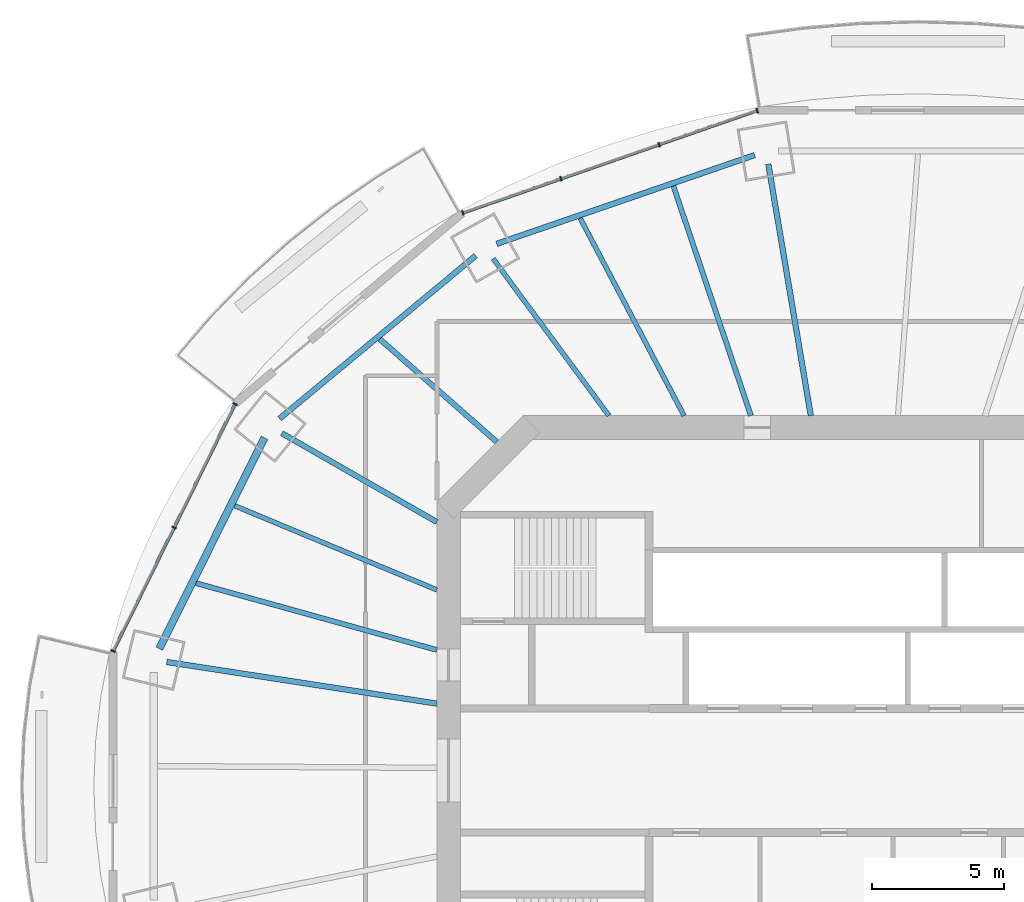
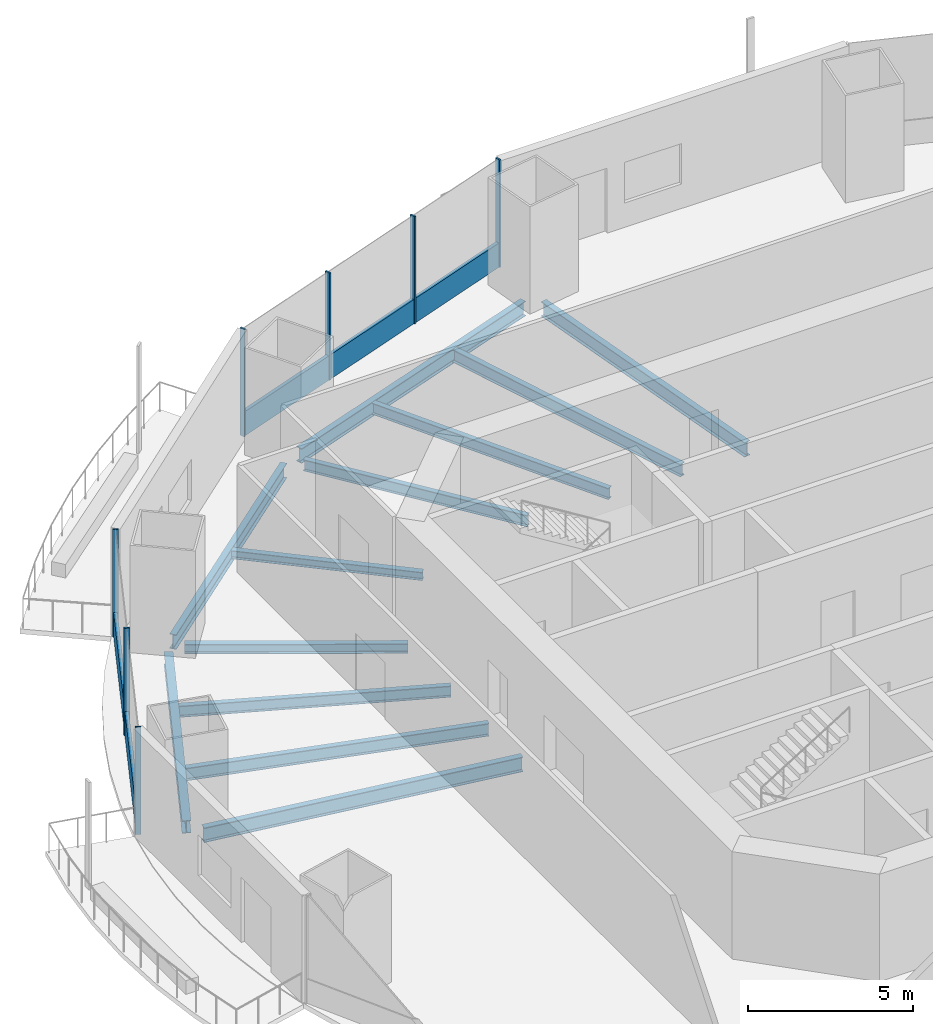
# One storey, part 6 of 20: 12 beams, 9 members, 2 elements without a shape of their own.
"""IFC4 building model written with IfcOpenShell, lengths in metres."""

from ifc_helpers import new_model, si_unit, direction, frame, origin, origin_2d, place, context, subcontext, project, spatial, rectangle, i_section, extrude, material, material_profile, profile_set, type_object, element, aggregate, save


model = new_model("IFC4")

# Units and contexts
model_context = context("Model", 3, precision=1e-05, world=origin(), true_north=direction((0.0, 1.0)))
body_context = subcontext(model_context, "Body", "Model", "MODEL_VIEW")
ifc_project = project(units=[si_unit("LENGTHUNIT", "METRE"), si_unit("AREAUNIT", "SQUARE_METRE"), si_unit("VOLUMEUNIT", "CUBIC_METRE"), si_unit("PLANEANGLEUNIT", "RADIAN"), si_unit("MASSUNIT", "GRAM", prefix="KILO")], contexts=[model_context])

# Site, building, storey
site_placement = place(None, origin())
site = spatial("IfcSite", under=ifc_project, at=site_placement, CompositionType="ELEMENT")
building_placement = place(site_placement, origin())
building = spatial("IfcBuilding", under=site, at=building_placement, Name="Marenthal Gate Tower", CompositionType="ELEMENT")
storey_placement = place(building_placement, frame((0.0, 0.0, 215.0)))
storey = spatial("IfcBuildingStorey", under=building, at=storey_placement, Name="L47", CompositionType="ELEMENT", Elevation=215.0)

# Curtain wall, members
ifc_material_1 = material(Name="Aluminium and glass", Category="aluminium")
curtain_wall_type = type_object("IfcCurtainWallType", Name="Curtain wall typical mid", PredefinedType="NOTDEFINED", material=ifc_material_1)
curtain_wall_1_placement = place(storey_placement, origin())
curtain_wall_1 = element("IfcCurtainWall", 1, at=curtain_wall_1_placement, inside=storey, type_object=curtain_wall_type, Name="Curtain wall L47 bay 5", PredefinedType="NOTDEFINED")
ifc_material_2 = material(Name="Aluminium", Category="aluminium")
ifc_material_profile_1 = material_profile(ifc_material_2, rectangle(XDim=0.179931640625, YDim=0.06005859375, at=origin_2d()), Name="60x180 aluminium mullion")
ifc_profile_set_1 = profile_set([ifc_material_profile_1], Name="Aluminium")
member_type_1 = type_object("IfcMemberType", Name="Mullion 60x180 typical mid", PredefinedType="MULLION", material=ifc_profile_set_1)
member_1_placement = place(storey_placement, frame((-4.301513671875, 25.01806640625, 0.0), z_axis=(0.0, 0.0, 1.0), x_axis=(0.328400483847, -0.944538576348, 0.0)))
member_1 = element("IfcMember", 2, at=member_1_placement, type_object=member_type_1, Name="Mullion L47 bay 5.1", PredefinedType="MULLION", context=body_context, shape_type="SweptSolid", body=[
    extrude(rectangle(XDim=0.179931640625, YDim=0.06005859375, at=origin_2d()), origin(), (0.0, 0.0, 1.0), 3.969970703125),
])
member_2_placement = place(storey_placement, frame((-8.023193359375, 23.72412109375, 0.0), z_axis=(0.0, 0.0, 1.0), x_axis=(0.328400483847, -0.944538576348, 0.0)))
member_2 = element("IfcMember", 3, at=member_2_placement, type_object=member_type_1, Name="Mullion L47 bay 5.2", PredefinedType="MULLION", context=body_context, shape_type="SweptSolid", body=[
    extrude(rectangle(XDim=0.179931640625, YDim=0.06005859375, at=origin_2d()), origin(), (0.0, 0.0, 1.0), 3.969970703125),
])
member_3_placement = place(storey_placement, frame((-11.744873046875, 22.43017578125, 0.0), z_axis=(0.0, 0.0, 1.0), x_axis=(0.328400483847, -0.944538576348, 0.0)))
member_3 = element("IfcMember", 4, at=member_3_placement, type_object=member_type_1, Name="Mullion L47 bay 5.3", PredefinedType="MULLION", context=body_context, shape_type="SweptSolid", body=[
    extrude(rectangle(XDim=0.179931640625, YDim=0.06005859375, at=origin_2d()), origin(), (0.0, 0.0, 1.0), 3.969970703125),
])
member_4_placement = place(storey_placement, frame((-15.466552734375, 21.13623046875, 0.0), z_axis=(0.0, 0.0, 1.0), x_axis=(0.328400483847, -0.944538576348, 0.0)))
member_4 = element("IfcMember", 5, at=member_4_placement, type_object=member_type_1, Name="Mullion L47 bay 5.4", PredefinedType="MULLION", context=body_context, shape_type="SweptSolid", body=[
    extrude(rectangle(XDim=0.179931640625, YDim=0.06005859375, at=origin_2d()), origin(), (0.0, 0.0, 1.0), 3.969970703125),
])

curtain_wall_2_placement = place(storey_placement, origin())
curtain_wall_2 = element("IfcCurtainWall", 6, at=curtain_wall_2_placement, inside=storey, type_object=curtain_wall_type, Name="Curtain wall L47 bay 7", PredefinedType="NOTDEFINED")
member_5_placement = place(storey_placement, frame((-24.096923828125, 13.89013671875, 0.0), z_axis=(0.0, 0.0, 1.0), x_axis=(0.896756924648, -0.442523466153, 0.0)))
member_5 = element("IfcMember", 7, at=member_5_placement, type_object=member_type_1, Name="Mullion L47 bay 7.1", PredefinedType="MULLION", context=body_context, shape_type="SweptSolid", body=[
    extrude(rectangle(XDim=0.179931640625, YDim=0.06005859375, at=origin_2d()), origin(), (0.0, 0.0, 1.0), 3.969970703125),
])
member_6_placement = place(storey_placement, frame((-26.40771484375, 9.20751953125, 0.0), z_axis=(0.0, 0.0, 1.0), x_axis=(0.896756924648, -0.442523466153, 0.0)))
member_6 = element("IfcMember", 8, at=member_6_placement, type_object=member_type_1, Name="Mullion L47 bay 7.2", PredefinedType="MULLION", context=body_context, shape_type="SweptSolid", body=[
    extrude(rectangle(XDim=0.179931640625, YDim=0.06005859375, at=origin_2d()), origin(), (0.0, 0.0, 1.0), 3.969970703125),
])
member_7_placement = place(storey_placement, frame((-28.718505859375, 4.524658203125, 0.0), z_axis=(0.0, 0.0, 1.0), x_axis=(0.896756924648, -0.442523466153, 0.0)))
member_7 = element("IfcMember", 9, at=member_7_placement, type_object=member_type_1, Name="Mullion L47 bay 7.3", PredefinedType="MULLION", context=body_context, shape_type="SweptSolid", body=[
    extrude(rectangle(XDim=0.179931640625, YDim=0.06005859375, at=origin_2d()), origin(), (0.0, 0.0, 1.0), 3.969970703125),
])

# Member
ifc_material_3 = material(Name="Aluminium", Category="aluminium")
ifc_material_profile_2 = material_profile(ifc_material_3, rectangle(XDim=0.1201171875, YDim=0.89990234375, at=origin_2d()), Name="120x900 aluminium transom")
ifc_profile_set_2 = profile_set([ifc_material_profile_2], Name="Aluminium")
member_type_2 = type_object("IfcMemberType", Name="Transom 120x900 typical mid", PredefinedType="USERDEFINED", material=ifc_profile_set_2)
member_8_placement = place(storey_placement, frame((-4.329833984375, 25.00830078125, 0.449951171875), z_axis=(-0.944535997597, -0.328407900703, 0.0), x_axis=(0.328407900703, -0.944535997597, 0.0)))
member_8 = element("IfcMember", 10, at=member_8_placement, type_object=member_type_2, Name="Transom L47 bay 5", ObjectType="TRANSOM", PredefinedType="USERDEFINED", context=body_context, shape_type="SweptSolid", body=[
    extrude(rectangle(XDim=0.1201171875, YDim=0.89990234375, at=origin_2d()), origin(), (0.0, 0.0, 1.0), 11.7607421875),
])

aggregate(curtain_wall_1, [member_1, member_2, member_3, member_4, member_8])

member_9_placement = place(storey_placement, frame((-24.110107421875, 13.86328125, 0.449951171875), z_axis=(-0.442533403339, -0.896752020867, 0.0), x_axis=(0.896752020867, -0.442533403339, 0.0)))
member_9 = element("IfcMember", 11, at=member_9_placement, type_object=member_type_2, Name="Transom L47 bay 7", ObjectType="TRANSOM", PredefinedType="USERDEFINED", context=body_context, shape_type="SweptSolid", body=[
    extrude(rectangle(XDim=0.1201171875, YDim=0.89990234375, at=origin_2d()), origin(), (0.0, 0.0, 1.0), 10.3837890625),
])

aggregate(curtain_wall_2, [member_5, member_6, member_7, member_9])

# Beams
ifc_material_4 = material(Name="Steel S355", Category="steel")
ifc_material_profile_3 = material_profile(ifc_material_4, i_section(OverallWidth=0.202880859375, OverallDepth=0.302001953125, WebThickness=0.007568359375, FlangeThickness=0.01318359375, FilletRadius=0.0126953125, at=origin_2d()), Name="W310X60")
ifc_profile_set_3 = profile_set([ifc_material_profile_3], Name="Steel S355")
beam_type_1 = type_object("IfcBeamType", Name="W310X60 beam", PredefinedType="BEAM", material=ifc_profile_set_3)
beam_1_placement = place(storey_placement, frame((-18.61279296875, 16.35498046875, -0.3310546875), z_axis=(0.751209637029, -0.660063694832, 0.0), x_axis=(0.660063694832, 0.751209637029, 0.0)))
element("IfcBeam", 12, at=beam_1_placement, inside=storey, type_object=beam_type_1, Name="BM-L47-25", PredefinedType="BEAM", context=body_context, shape_type="SweptSolid", body=[
    extrude(i_section(OverallWidth=0.202880859375, OverallDepth=0.302001953125, WebThickness=0.007568359375, FlangeThickness=0.01318359375, FilletRadius=0.0126953125, at=origin_2d()), origin(), (0.0, 0.0, 1.0), 5.903564453125),
])
ifc_material_5 = material(Name="Steel S355", Category="steel")
ifc_material_profile_4 = material_profile(ifc_material_5, i_section(OverallWidth=0.205078125, OverallDepth=0.35302734375, WebThickness=0.009521484375, FlangeThickness=0.016845703125, FilletRadius=0.014892578125, at=origin_2d()), Name="W360X79")
ifc_profile_set_4 = profile_set([ifc_material_profile_4], Name="Steel S355")
beam_type_2 = type_object("IfcBeamType", Name="W360X79 beam", PredefinedType="BEAM", material=ifc_profile_set_4)
beam_2_placement = place(storey_placement, frame((-22.3251953125, 12.78466796875, -0.3564453125), z_axis=(0.867783421329, -0.496942585886, 0.0), x_axis=(0.496942585886, 0.867783421329, 0.0)))
element("IfcBeam", 13, at=beam_2_placement, inside=storey, type_object=beam_type_2, Name="BM-L47-07", PredefinedType="BEAM", context=body_context, shape_type="SweptSolid", body=[
    extrude(i_section(OverallWidth=0.205078125, OverallDepth=0.35302734375, WebThickness=0.009521484375, FlangeThickness=0.016845703125, FilletRadius=0.014892578125, at=origin_2d()), origin(), (0.0, 0.0, 1.0), 6.7705078125),
])
ifc_material_6 = material(Name="Steel S355", Category="steel")
ifc_material_profile_5 = material_profile(ifc_material_6, i_section(OverallWidth=0.180908203125, OverallDepth=0.4169921875, WebThickness=0.010986328125, FlangeThickness=0.018310546875, FilletRadius=0.01025390625, at=origin_2d()), Name="W410X85")
ifc_profile_set_5 = profile_set([ifc_material_profile_5], Name="Steel S355")
beam_type_3 = type_object("IfcBeamType", Name="W410X85 beam", PredefinedType="BEAM", material=ifc_profile_set_5)
beam_3_placement = place(storey_placement, frame((-14.315185546875, 19.403564453125, -0.388427734375), z_axis=(0.593655954995, -0.804718961563, 0.0), x_axis=(0.804718961563, 0.593655954995, 0.0)))
element("IfcBeam", 14, at=beam_3_placement, inside=storey, type_object=beam_type_3, Name="BM-L47-06", PredefinedType="BEAM", context=body_context, shape_type="SweptSolid", body=[
    extrude(i_section(OverallWidth=0.180908203125, OverallDepth=0.4169921875, WebThickness=0.010986328125, FlangeThickness=0.018310546875, FilletRadius=0.01025390625, at=origin_2d()), origin(), (0.0, 0.0, 1.0), 7.3984375),
])
beam_4_placement = place(storey_placement, frame((-11.016357421875, 20.939697265625, -0.388427734375), z_axis=(0.46558115767, -0.885005189602, 0.0), x_axis=(0.885005189602, 0.46558115767, 0.0)))
element("IfcBeam", 15, at=beam_4_placement, inside=storey, type_object=beam_type_3, Name="BM-L47-24", PredefinedType="BEAM", context=body_context, shape_type="SweptSolid", body=[
    extrude(i_section(OverallWidth=0.180908203125, OverallDepth=0.4169921875, WebThickness=0.010986328125, FlangeThickness=0.018310546875, FilletRadius=0.01025390625, at=origin_2d()), origin(), (0.0, 0.0, 1.0), 8.462890625),
])
beam_5_placement = place(storey_placement, frame((-24.111572265625, 10.03564453125, -0.388427734375), z_axis=(0.923221340897, -0.384268598394, 0.0), x_axis=(0.384268598394, 0.923221340897, 0.0)))
element("IfcBeam", 16, at=beam_5_placement, inside=storey, type_object=beam_type_3, Name="BM-L47-26", PredefinedType="BEAM", context=body_context, shape_type="SweptSolid", body=[
    extrude(i_section(OverallWidth=0.180908203125, OverallDepth=0.4169921875, WebThickness=0.010986328125, FlangeThickness=0.018310546875, FilletRadius=0.01025390625, at=origin_2d()), origin(), (0.0, 0.0, 1.0), 8.298828125),
])
ifc_material_7 = material(Name="Steel S355", Category="steel")
ifc_material_profile_6 = material_profile(ifc_material_7, i_section(OverallWidth=0.279052734375, OverallDepth=0.4619140625, WebThickness=0.0107421875, FlangeThickness=0.017333984375, FilletRadius=0.010009765625, at=origin_2d()), Name="W460X113")
ifc_profile_set_6 = profile_set([ifc_material_profile_6], Name="Steel S355")
beam_type_4 = type_object("IfcBeamType", Name="W460X113 beam", PredefinedType="BEAM", material=ifc_profile_set_6)
beam_6_placement = place(storey_placement, frame((-22.980712890625, 12.616455078125, -0.410888671875), z_axis=(-0.44619754622, -0.894934494668, 0.0), x_axis=(0.894934494668, -0.44619754622, 0.0)))
element("IfcBeam", 17, at=beam_6_placement, inside=storey, type_object=beam_type_4, Name="BM-L47-47", PredefinedType="BEAM", context=body_context, shape_type="SweptSolid", body=[
    extrude(i_section(OverallWidth=0.279052734375, OverallDepth=0.4619140625, WebThickness=0.0107421875, FlangeThickness=0.017333984375, FilletRadius=0.010009765625, at=origin_2d()), origin(), (0.0, 0.0, 1.0), 8.941162109375),
])
ifc_material_8 = material(Name="Steel S355", Category="steel")
ifc_material_profile_7 = material_profile(ifc_material_8, i_section(OverallWidth=0.193115234375, OverallDepth=0.467041015625, WebThickness=0.011474609375, FlangeThickness=0.01904296875, FilletRadius=0.010009765625, at=origin_2d()), Name="W460X97")
ifc_profile_set_7 = profile_set([ifc_material_profile_7], Name="Steel S355")
beam_type_5 = type_object("IfcBeamType", Name="W460X97 beam", PredefinedType="BEAM", material=ifc_profile_set_7)
beam_7_placement = place(storey_placement, frame((-7.481689453125, 22.156005859375, -0.41357421875), z_axis=(0.319915789706, -0.947445981308, 0.0), x_axis=(0.947445981308, 0.319915789706, 0.0)))
element("IfcBeam", 18, at=beam_7_placement, inside=storey, type_object=beam_type_5, Name="BM-L47-23", PredefinedType="BEAM", context=body_context, shape_type="SweptSolid", body=[
    extrude(i_section(OverallWidth=0.193115234375, OverallDepth=0.467041015625, WebThickness=0.011474609375, FlangeThickness=0.01904296875, FilletRadius=0.010009765625, at=origin_2d()), origin(), (0.0, 0.0, 1.0), 9.18896484375),
])
beam_8_placement = place(storey_placement, frame((-25.574462890625, 7.101318359375, -0.41357421875), z_axis=(0.963542283164, -0.267556103566, 0.0), x_axis=(0.267556103566, 0.963542283164, 0.0)))
element("IfcBeam", 19, at=beam_8_placement, inside=storey, type_object=beam_type_5, Name="BM-L47-27", PredefinedType="BEAM", context=body_context, shape_type="SweptSolid", body=[
    extrude(i_section(OverallWidth=0.193115234375, OverallDepth=0.467041015625, WebThickness=0.011474609375, FlangeThickness=0.01904296875, FilletRadius=0.010009765625, at=origin_2d()), origin(), (0.0, 0.0, 1.0), 9.4697265625),
])
ifc_material_9 = material(Name="Steel S355", Category="steel")
ifc_material_profile_8 = material_profile(ifc_material_9, i_section(OverallWidth=0.2099609375, OverallDepth=0.535888671875, WebThickness=0.010986328125, FlangeThickness=0.017333984375, FilletRadius=0.0126953125, at=origin_2d()), Name="W530X101")
ifc_profile_set_8 = profile_set([ifc_material_profile_8], Name="Steel S355")
beam_type_6 = type_object("IfcBeamType", Name="W530X101 beam", PredefinedType="BEAM", material=ifc_profile_set_8)
beam_9_placement = place(storey_placement, frame((-3.881591796875, 22.9853515625, -0.447998046875), z_axis=(0.166498827313, -0.986041652519, 0.0), x_axis=(0.986041652519, 0.166498827313, 0.0)))
element("IfcBeam", 20, at=beam_9_placement, inside=storey, type_object=beam_type_6, Name="BM-L47-05", PredefinedType="BEAM", context=body_context, shape_type="SweptSolid", body=[
    extrude(i_section(OverallWidth=0.2099609375, OverallDepth=0.535888671875, WebThickness=0.010986328125, FlangeThickness=0.017333984375, FilletRadius=0.0126953125, at=origin_2d()), origin(), (0.0, 0.0, 1.0), 9.67041015625),
])
ifc_material_10 = material(Name="Steel S355", Category="steel")
ifc_material_profile_9 = material_profile(ifc_material_10, i_section(OverallWidth=0.2119140625, OverallDepth=0.5439453125, WebThickness=0.01318359375, FlangeThickness=0.021240234375, FilletRadius=0.0126953125, at=origin_2d()), Name="W530X123")
ifc_profile_set_9 = profile_set([ifc_material_profile_9], Name="Steel S355")
beam_type_7 = type_object("IfcBeamType", Name="W530X123 beam", PredefinedType="BEAM", material=ifc_profile_set_9)
beam_10_placement = place(storey_placement, frame((-26.684814453125, 4.11279296875, -0.451904296875), z_axis=(0.988331052625, -0.152321142384, 0.0), x_axis=(0.152321142384, 0.988331052625, 0.0)))
element("IfcBeam", 21, at=beam_10_placement, inside=storey, type_object=beam_type_7, Name="BM-L47-08", PredefinedType="BEAM", context=body_context, shape_type="SweptSolid", body=[
    extrude(i_section(OverallWidth=0.2119140625, OverallDepth=0.5439453125, WebThickness=0.01318359375, FlangeThickness=0.021240234375, FilletRadius=0.0126953125, at=origin_2d()), origin(), (0.0, 0.0, 1.0), 10.355712890625),
])
beam_11_placement = place(storey_placement, frame((-4.4033203125, 23.327392578125, -0.451904296875), z_axis=(-0.945577858805, -0.325395932578, 0.0), x_axis=(0.325395932578, -0.945577858805, 0.0)))
element("IfcBeam", 22, at=beam_11_placement, inside=storey, type_object=beam_type_7, Name="BM-L47-45", PredefinedType="BEAM", context=body_context, shape_type="SweptSolid", body=[
    extrude(i_section(OverallWidth=0.2119140625, OverallDepth=0.5439453125, WebThickness=0.01318359375, FlangeThickness=0.021240234375, FilletRadius=0.0126953125, at=origin_2d()), origin(), (0.0, 0.0, 1.0), 10.336669921875),
])
beam_12_placement = place(storey_placement, frame((-14.97607421875, 19.514404296875, -0.451904296875), z_axis=(-0.76917508894, -0.639038091629, 0.0), x_axis=(0.639038091629, -0.76917508894, 0.0)))
element("IfcBeam", 23, at=beam_12_placement, inside=storey, type_object=beam_type_7, Name="BM-L47-46", PredefinedType="BEAM", context=body_context, shape_type="SweptSolid", body=[
    extrude(i_section(OverallWidth=0.2119140625, OverallDepth=0.5439453125, WebThickness=0.01318359375, FlangeThickness=0.021240234375, FilletRadius=0.0126953125, at=origin_2d()), origin(), (0.0, 0.0, 1.0), 9.663330078125),
])

save(model, "model.ifc")
